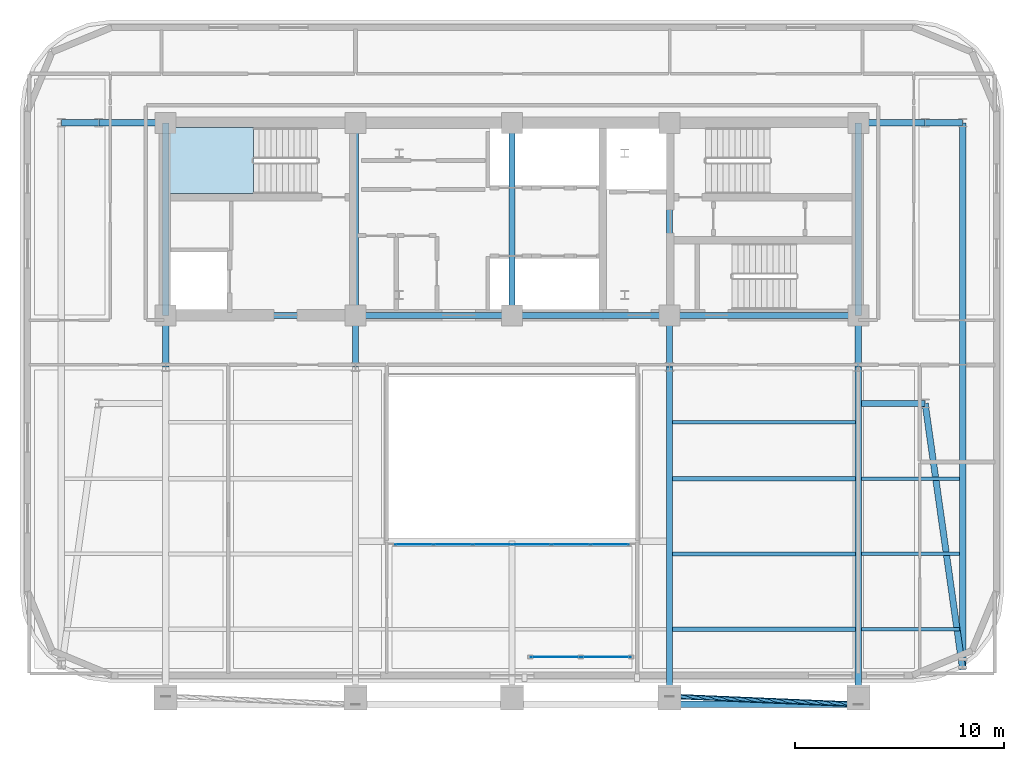
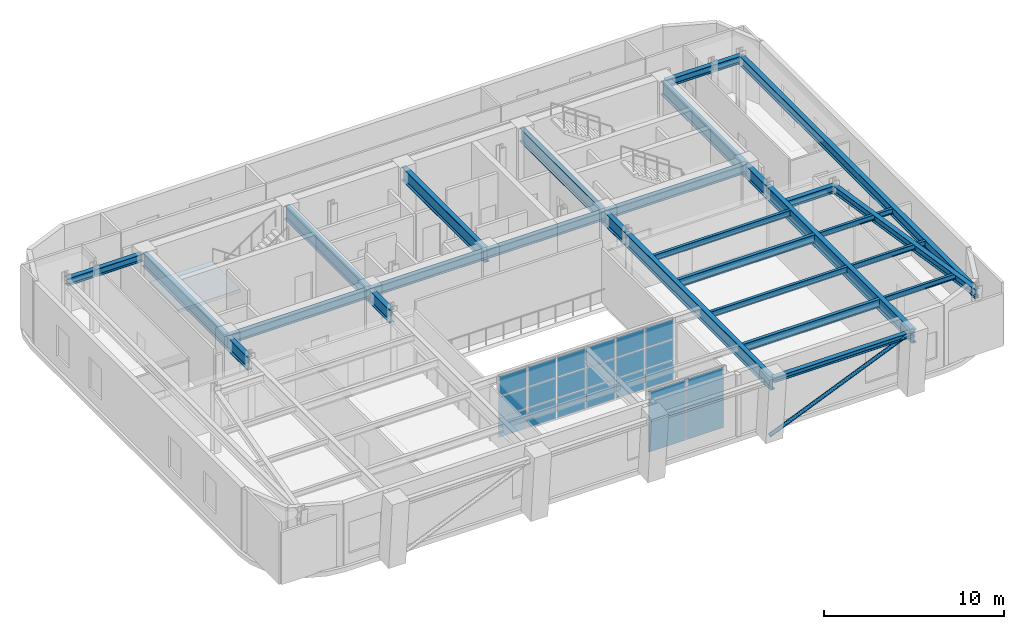
# One storey, part 3 of 13: 30 beams, 22 plates, 1 member, 1 slab, 3 elements without a shape of their own.
"""IFC4 building model written with IfcOpenShell, lengths in metres."""

from ifc_helpers import new_model, si_unit, direction, frame, origin, origin_2d, place, context, subcontext, project, spatial, polyline, rectangle, hollow_circle, i_section, outline, extrude, material, layer, layer_set, material_profile, profile_set, type_object, element, aggregate, save


model = new_model("IFC4")

# Units and contexts
model_context = context("Model", 3, precision=1e-05, world=origin(), true_north=direction((0.0, 1.0)))
body_context = subcontext(model_context, "Body", "Model", "MODEL_VIEW")
ifc_project = project(units=[si_unit("LENGTHUNIT", "METRE"), si_unit("AREAUNIT", "SQUARE_METRE"), si_unit("VOLUMEUNIT", "CUBIC_METRE"), si_unit("PLANEANGLEUNIT", "RADIAN"), si_unit("MASSUNIT", "GRAM", prefix="KILO")], contexts=[model_context])

# Site, building, storey
site_placement = place(None, origin())
site = spatial("IfcSite", under=ifc_project, at=site_placement, CompositionType="ELEMENT")
building_placement = place(site_placement, origin())
building = spatial("IfcBuilding", under=site, at=building_placement, Name="Zarnavel Station Tower", CompositionType="ELEMENT")
storey_placement = place(building_placement, frame((0.0, 0.0, 183.85009765625)))
storey = spatial("IfcBuildingStorey", under=building, at=storey_placement, Name="L50", CompositionType="ELEMENT", Elevation=183.85009765625)

# Member
ifc_material_1 = material(Name="Steel S355J2", Category="steel")
ifc_material_profile_1 = material_profile(ifc_material_1, hollow_circle(Radius=0.122314453125, WallThickness=0.010009765625, at=origin_2d()), Name="CHS244.5x10")
ifc_profile_set_1 = profile_set([ifc_material_profile_1], Name="Steel S355J2")
member_type = type_object("IfcMemberType", Name="DB_EXT_CHS245", PredefinedType="BRACE", material=ifc_profile_set_1)
member_placement = place(storey_placement, frame((36.35009765625, 9.5673828125, 0.0), z_axis=(0.905258339088, -0.03834184721, 0.423127926595), x_axis=(0.042316652406, 0.99910424928, 0.0)))
element("IfcMember", 1, at=member_placement, inside=storey, type_object=member_type, Name="L50 Persian Exterior Diagonal Frame Brace 2", PredefinedType="BRACE", context=body_context, shape_type="SweptSolid", body=[
    extrude(hollow_circle(Radius=0.122314453125, WallThickness=0.010009765625, at=origin_2d()), origin(), (0.0, 0.0, 1.0), 9.996826171875),
])

# Beams
ifc_material_2 = material(Name="Steel S355J2", Category="steel")
ifc_material_profile_2 = material_profile(ifc_material_2, i_section(OverallWidth=0.300048828125, OverallDepth=0.360107421875, WebThickness=0.012451171875, FlangeThickness=0.0224609375, FilletRadius=0.027099609375, at=origin_2d()), Name="HEB360")
ifc_profile_set_2 = profile_set([ifc_material_profile_2], Name="Steel S355J2")
beam_type_1 = type_object("IfcBeamType", Name="EB_HEB360", PredefinedType="SPANDREL", material=ifc_profile_set_2)
beam_1_placement = place(storey_placement, frame((36.35009765625, 9.18408203125, 4.0498046875), z_axis=(1.0, 0.0, 0.0), x_axis=(0.0, 1.0, 0.0)))
element("IfcBeam", 2, at=beam_1_placement, inside=storey, type_object=beam_type_1, Name="L50 South Raked Spandrel 4", PredefinedType="SPANDREL", context=body_context, shape_type="SweptSolid", body=[
    extrude(i_section(OverallWidth=0.300048828125, OverallDepth=0.360107421875, WebThickness=0.012451171875, FlangeThickness=0.0224609375, FilletRadius=0.027099609375, at=origin_2d()), origin(), (0.0, 0.0, 1.0), 9.0498046875),
])
ifc_material_3 = material(Name="Steel S355J2", Category="steel")
ifc_material_profile_3 = material_profile(ifc_material_3, i_section(OverallWidth=0.179931640625, OverallDepth=0.39990234375, WebThickness=0.008544921875, FlangeThickness=0.013427734375, FilletRadius=0.02099609375, at=origin_2d()), Name="IPE400")
ifc_profile_set_3 = profile_set([ifc_material_profile_3], Name="Steel S355J2")
beam_type_2 = type_object("IfcBeamType", Name="FB_IPE400", PredefinedType="BEAM", material=ifc_profile_set_3)
for number, where, z_axis, x_axis, name in (
    (3, (36.4951171875, 16.390380859375, 4.02978515625), (1.0, 0.0, 0.0), (0.0, 1.0, 0.0), "L50 East Bay Beam 2"),
    (4, (36.4951171875, 22.69677734375, 4.02978515625), (1.0, 0.0, 0.0), (0.0, 1.0, 0.0), "L50 East Bay Beam 4"),
):
    element("IfcBeam", number, at=place(storey_placement, frame(where, z_axis=z_axis, x_axis=x_axis)), inside=storey, type_object=beam_type_2, Name=name, PredefinedType="BEAM", context=body_context, shape_type="SweptSolid", body=[
        extrude(i_section(OverallWidth=0.179931640625, OverallDepth=0.39990234375, WebThickness=0.008544921875, FlangeThickness=0.013427734375, FilletRadius=0.02099609375, at=origin_2d()), origin(), (0.0, 0.0, 1.0), 8.759765625),
    ])
ifc_material_4 = material(Name="Steel S355J2", Category="steel")
ifc_material_profile_4 = material_profile(ifc_material_4, i_section(OverallWidth=0.2099609375, OverallDepth=0.550048828125, WebThickness=0.010986328125, FlangeThickness=0.01708984375, FilletRadius=0.02392578125, at=origin_2d()), Name="IPE550")
ifc_profile_set_4 = profile_set([ifc_material_profile_4], Name="Steel S355J2")
beam_type_3 = type_object("IfcBeamType", Name="FB_IPE550", PredefinedType="BEAM", material=ifc_profile_set_4)
for number, where, z_axis, x_axis, name in (
    (5, (36.4951171875, 12.787353515625, 3.954833984375), (1.0, 0.0, 0.0), (0.0, 1.0, 0.0), "L50 East Bay Beam 1"),
    (6, (36.4951171875, 19.99365234375, 3.954833984375), (1.0, 0.0, 0.0), (0.0, 1.0, 0.0), "L50 East Bay Beam 3"),
):
    element("IfcBeam", number, at=place(storey_placement, frame(where, z_axis=z_axis, x_axis=x_axis)), inside=storey, type_object=beam_type_3, Name=name, PredefinedType="BEAM", context=body_context, shape_type="SweptSolid", body=[
        extrude(i_section(OverallWidth=0.2099609375, OverallDepth=0.550048828125, WebThickness=0.010986328125, FlangeThickness=0.01708984375, FilletRadius=0.02392578125, at=origin_2d()), origin(), (0.0, 0.0, 1.0), 8.759765625),
    ])
ifc_material_5 = material(Name="Steel S355J2", Category="steel")
ifc_material_profile_5 = material_profile(ifc_material_5, i_section(OverallWidth=0.300048828125, OverallDepth=0.5, WebThickness=0.014404296875, FlangeThickness=0.028076171875, FilletRadius=0.027099609375, at=origin_2d()), Name="HEB500")
ifc_profile_set_5 = profile_set([ifc_material_profile_5], Name="Steel S355J2")
beam_type_4 = type_object("IfcBeamType", Name="FG_HEB500", PredefinedType="USERDEFINED", material=ifc_profile_set_5)
beam_2_placement = place(storey_placement, frame((7.199951171875, 37.050048828125, 3.97998046875), z_axis=(1.0, 0.0, 0.0), x_axis=(0.0, 1.0, 0.0)))
element("IfcBeam", 7, at=beam_2_placement, inside=storey, type_object=beam_type_4, Name="L50 West Wing North Tie 1", ObjectType="GIRDER", PredefinedType="USERDEFINED", context=body_context, shape_type="SweptSolid", body=[
    extrude(i_section(OverallWidth=0.300048828125, OverallDepth=0.5, WebThickness=0.014404296875, FlangeThickness=0.028076171875, FilletRadius=0.027099609375, at=origin_2d()), origin(), (0.0, 0.0, 1.0), 1.800048828125),
])
beam_3_placement = place(storey_placement, frame((9.0, 37.050048828125, 3.97998046875), z_axis=(1.0, 0.0, 0.0), x_axis=(0.0, 1.0, 0.0)))
element("IfcBeam", 8, at=beam_3_placement, inside=storey, type_object=beam_type_4, Name="L50 West Wing North Tie 2", ObjectType="GIRDER", PredefinedType="USERDEFINED", context=body_context, shape_type="SweptSolid", body=[
    extrude(i_section(OverallWidth=0.300048828125, OverallDepth=0.5, WebThickness=0.014404296875, FlangeThickness=0.028076171875, FilletRadius=0.027099609375, at=origin_2d()), origin(), (0.0, 0.0, 1.0), 3.054931640625),
])
for number, where, z_axis, x_axis, name in (
    (9, (45.544921875, 23.60009765625, 3.97998046875), (1.0, 0.0, 0.0), (0.0, 1.0, 0.0), "L50 East Wing South Tie 1"),
    (10, (45.544921875, 37.050048828125, 3.97998046875), (1.0, 0.0, 0.0), (0.0, 1.0, 0.0), "L50 East Wing North Tie 1"),
):
    element("IfcBeam", number, at=place(storey_placement, frame(where, z_axis=z_axis, x_axis=x_axis)), inside=storey, type_object=beam_type_4, Name=name, ObjectType="GIRDER", PredefinedType="USERDEFINED", context=body_context, shape_type="SweptSolid", body=[
        extrude(i_section(OverallWidth=0.300048828125, OverallDepth=0.5, WebThickness=0.014404296875, FlangeThickness=0.028076171875, FilletRadius=0.027099609375, at=origin_2d()), origin(), (0.0, 0.0, 1.0), 3.05517578125),
    ])
beam_4_placement = place(storey_placement, frame((48.60009765625, 23.60009765625, 3.97998046875), z_axis=(0.139772781773, -0.990183603922, 0.0), x_axis=(0.990183603922, 0.139772781773, 0.0)))
element("IfcBeam", 11, at=beam_4_placement, inside=storey, type_object=beam_type_4, Name="L50 East Wing South Tie 2", ObjectType="GIRDER", PredefinedType="USERDEFINED", context=body_context, shape_type="SweptSolid", body=[
    extrude(i_section(OverallWidth=0.300048828125, OverallDepth=0.5, WebThickness=0.014404296875, FlangeThickness=0.028076171875, FilletRadius=0.027099609375, at=origin_2d()), origin(), (0.0, 0.0, 1.0), 12.876708984375),
])
beam_5_placement = place(storey_placement, frame((48.60009765625, 37.050048828125, 3.97998046875), z_axis=(1.0, 0.0, 0.0), x_axis=(0.0, 1.0, 0.0)))
element("IfcBeam", 12, at=beam_5_placement, inside=storey, type_object=beam_type_4, Name="L50 East Wing North Tie 2", ObjectType="GIRDER", PredefinedType="USERDEFINED", context=body_context, shape_type="SweptSolid", body=[
    extrude(i_section(OverallWidth=0.300048828125, OverallDepth=0.5, WebThickness=0.014404296875, FlangeThickness=0.028076171875, FilletRadius=0.027099609375, at=origin_2d()), origin(), (0.0, 0.0, 1.0), 1.7998046875),
])
ifc_material_6 = material(Name="Steel S355J2", Category="steel")
ifc_material_profile_6 = material_profile(ifc_material_6, i_section(OverallWidth=0.300048828125, OverallDepth=0.60009765625, WebThickness=0.015380859375, FlangeThickness=0.030029296875, FilletRadius=0.027099609375, at=origin_2d()), Name="HEB600")
ifc_profile_set_6 = profile_set([ifc_material_profile_6], Name="Steel S355J2")
beam_type_5 = type_object("IfcBeamType", Name="FG_HEB600", PredefinedType="USERDEFINED", material=ifc_profile_set_6)
beam_6_placement = place(storey_placement, frame((12.199951171875, 27.820068359375, 3.929931640625), z_axis=(1.0, 0.0, 0.0), x_axis=(0.0, 1.0, 0.0)))
element("IfcBeam", 13, at=beam_6_placement, inside=storey, type_object=beam_type_5, Name="L50 Core Front Coupling Beam 1", ObjectType="GIRDER", PredefinedType="USERDEFINED", context=body_context, shape_type="SweptSolid", body=[
    extrude(i_section(OverallWidth=0.300048828125, OverallDepth=0.60009765625, WebThickness=0.015380859375, FlangeThickness=0.030029296875, FilletRadius=0.027099609375, at=origin_2d()), origin(), (0.0, 0.0, 1.0), 9.10009765625),
])
beam_7_placement = place(storey_placement, frame((21.300048828125, 27.820068359375, 3.929931640625), z_axis=(1.0, 0.0, 0.0), x_axis=(0.0, 1.0, 0.0)))
element("IfcBeam", 14, at=beam_7_placement, inside=storey, type_object=beam_type_5, Name="L50 Core Front Coupling Beam 2", ObjectType="GIRDER", PredefinedType="USERDEFINED", context=body_context, shape_type="SweptSolid", body=[
    extrude(i_section(OverallWidth=0.300048828125, OverallDepth=0.60009765625, WebThickness=0.015380859375, FlangeThickness=0.030029296875, FilletRadius=0.027099609375, at=origin_2d()), origin(), (0.0, 0.0, 1.0), 7.5),
])
beam_8_placement = place(storey_placement, frame((28.800048828125, 27.820068359375, 3.929931640625), z_axis=(1.0, 0.0, 0.0), x_axis=(0.0, 1.0, 0.0)))
element("IfcBeam", 15, at=beam_8_placement, inside=storey, type_object=beam_type_5, Name="L50 Core Front Coupling Beam 3", ObjectType="GIRDER", PredefinedType="USERDEFINED", context=body_context, shape_type="SweptSolid", body=[
    extrude(i_section(OverallWidth=0.300048828125, OverallDepth=0.60009765625, WebThickness=0.015380859375, FlangeThickness=0.030029296875, FilletRadius=0.027099609375, at=origin_2d()), origin(), (0.0, 0.0, 1.0), 7.550048828125),
])
beam_9_placement = place(storey_placement, frame((36.35009765625, 27.820068359375, 3.929931640625), z_axis=(1.0, 0.0, 0.0), x_axis=(0.0, 1.0, 0.0)))
element("IfcBeam", 16, at=beam_9_placement, inside=storey, type_object=beam_type_5, Name="L50 Core Front Coupling Beam 4", ObjectType="GIRDER", PredefinedType="USERDEFINED", context=body_context, shape_type="SweptSolid", body=[
    extrude(i_section(OverallWidth=0.300048828125, OverallDepth=0.60009765625, WebThickness=0.015380859375, FlangeThickness=0.030029296875, FilletRadius=0.027099609375, at=origin_2d()), origin(), (0.0, 0.0, 1.0), 9.0498046875),
])
ifc_material_7 = material(Name="Steel S355J2", Category="steel")
ifc_material_profile_7 = material_profile(ifc_material_7, i_section(OverallWidth=0.300048828125, OverallDepth=0.64990234375, WebThickness=0.01611328125, FlangeThickness=0.031005859375, FilletRadius=0.027099609375, at=origin_2d()), Name="HEB650")
ifc_profile_set_7 = profile_set([ifc_material_profile_7], Name="Steel S355J2")
beam_type_6 = type_object("IfcBeamType", Name="FG_HEB650", PredefinedType="USERDEFINED", material=ifc_profile_set_7)
beam_10_placement = place(storey_placement, frame((50.39990234375, 10.849853515625, 3.90478515625), z_axis=(0.0, 1.0, 0.0), x_axis=(-1.0, 0.0, 0.0)))
element("IfcBeam", 17, at=beam_10_placement, inside=storey, type_object=beam_type_6, Name="L50 Wing NS Girder 2", ObjectType="GIRDER", PredefinedType="USERDEFINED", context=body_context, shape_type="SweptSolid", body=[
    extrude(i_section(OverallWidth=0.300048828125, OverallDepth=0.64990234375, WebThickness=0.01611328125, FlangeThickness=0.031005859375, FilletRadius=0.027099609375, at=origin_2d()), origin(), (0.0, 0.0, 1.0), 26.2001953125),
])
ifc_material_8 = material(Name="Steel S355J2", Category="steel")
ifc_material_profile_8 = material_profile(ifc_material_8, i_section(OverallWidth=0.300048828125, OverallDepth=0.89990234375, WebThickness=0.0185546875, FlangeThickness=0.034912109375, FilletRadius=0.030029296875, at=origin_2d()), Name="HEB900")
ifc_profile_set_8 = profile_set([ifc_material_profile_8], Name="Steel S355J2")
beam_type_7 = type_object("IfcBeamType", Name="FG_HEB900", PredefinedType="USERDEFINED", material=ifc_profile_set_8)
for number, where, z_axis, x_axis, name in (
    (18, (12.199951171875, 25.35009765625, 3.77978515625), (0.0, 1.0, 0.0), (-1.0, 0.0, 0.0), "L50 Inner-Zone NS Girder 1"),
    (19, (21.300048828125, 25.35009765625, 3.77978515625), (0.0, 1.0, 0.0), (-1.0, 0.0, 0.0), "L50 Inner-Zone NS Girder 2"),
):
    element("IfcBeam", number, at=place(storey_placement, frame(where, z_axis=z_axis, x_axis=x_axis)), inside=storey, type_object=beam_type_7, Name=name, ObjectType="GIRDER", PredefinedType="USERDEFINED", context=body_context, shape_type="SweptSolid", body=[
        extrude(i_section(OverallWidth=0.300048828125, OverallDepth=0.89990234375, WebThickness=0.0185546875, FlangeThickness=0.034912109375, FilletRadius=0.030029296875, at=origin_2d()), origin(), (0.0, 0.0, 1.0), 2.469970703125),
    ])
beam_11_placement = place(storey_placement, frame((36.35009765625, 9.18408203125, 3.77978515625), z_axis=(0.0, 1.0, 0.0), x_axis=(-1.0, 0.0, 0.0)))
element("IfcBeam", 20, at=beam_11_placement, inside=storey, type_object=beam_type_7, Name="L50 South-Zone NS Girder 4", ObjectType="GIRDER", PredefinedType="USERDEFINED", context=body_context, shape_type="SweptSolid", body=[
    extrude(i_section(OverallWidth=0.300048828125, OverallDepth=0.89990234375, WebThickness=0.0185546875, FlangeThickness=0.034912109375, FilletRadius=0.030029296875, at=origin_2d()), origin(), (0.0, 0.0, 1.0), 16.166015625),
])
beam_12_placement = place(storey_placement, frame((36.35009765625, 25.35009765625, 3.77978515625), z_axis=(0.0, 1.0, 0.0), x_axis=(-1.0, 0.0, 0.0)))
element("IfcBeam", 21, at=beam_12_placement, inside=storey, type_object=beam_type_7, Name="L50 Inner-Zone NS Girder 4", ObjectType="GIRDER", PredefinedType="USERDEFINED", context=body_context, shape_type="SweptSolid", body=[
    extrude(i_section(OverallWidth=0.300048828125, OverallDepth=0.89990234375, WebThickness=0.0185546875, FlangeThickness=0.034912109375, FilletRadius=0.030029296875, at=origin_2d()), origin(), (0.0, 0.0, 1.0), 2.469970703125),
])
beam_13_placement = place(storey_placement, frame((45.39990234375, 9.18408203125, 3.77978515625), z_axis=(0.0, 1.0, 0.0), x_axis=(-1.0, 0.0, 0.0)))
element("IfcBeam", 22, at=beam_13_placement, inside=storey, type_object=beam_type_7, Name="L50 South-Zone NS Girder 5", ObjectType="GIRDER", PredefinedType="USERDEFINED", context=body_context, shape_type="SweptSolid", body=[
    extrude(i_section(OverallWidth=0.300048828125, OverallDepth=0.89990234375, WebThickness=0.0185546875, FlangeThickness=0.034912109375, FilletRadius=0.030029296875, at=origin_2d()), origin(), (0.0, 0.0, 1.0), 16.166015625),
])
beam_14_placement = place(storey_placement, frame((45.39990234375, 25.35009765625, 3.77978515625), z_axis=(0.0, 1.0, 0.0), x_axis=(-1.0, 0.0, 0.0)))
element("IfcBeam", 23, at=beam_14_placement, inside=storey, type_object=beam_type_7, Name="L50 Inner-Zone NS Girder 5", ObjectType="GIRDER", PredefinedType="USERDEFINED", context=body_context, shape_type="SweptSolid", body=[
    extrude(i_section(OverallWidth=0.300048828125, OverallDepth=0.89990234375, WebThickness=0.0185546875, FlangeThickness=0.034912109375, FilletRadius=0.030029296875, at=origin_2d()), origin(), (0.0, 0.0, 1.0), 2.469970703125),
])
ifc_material_9 = material(Name="Steel S355J2", Category="steel")
ifc_material_profile_9 = material_profile(ifc_material_9, i_section(OverallWidth=0.169921875, OverallDepth=0.360107421875, WebThickness=0.008056640625, FlangeThickness=0.0126953125, FilletRadius=0.01806640625, at=origin_2d()), Name="IPE360")
ifc_profile_set_9 = profile_set([ifc_material_profile_9], Name="Steel S355J2")
beam_type_8 = type_object("IfcBeamType", Name="FJ_IPE360", PredefinedType="JOIST", material=ifc_profile_set_9)
for number, where, z_axis, x_axis, name in (
    (24, (45.544921875, 12.787353515625, 4.0498046875), (1.0, 0.0, 0.0), (0.0, 1.0, 0.0), "L50 East Wing Joist 1"),
    (25, (45.544921875, 16.390380859375, 4.0498046875), (1.0, 0.0, 0.0), (0.0, 1.0, 0.0), "L50 East Wing Joist 2"),
    (26, (45.544921875, 19.99365234375, 4.0498046875), (1.0, 0.0, 0.0), (0.0, 1.0, 0.0), "L50 East Wing Joist 3"),
):
    element("IfcBeam", number, at=place(storey_placement, frame(where, z_axis=z_axis, x_axis=x_axis)), inside=storey, type_object=beam_type_8, Name=name, PredefinedType="JOIST", context=body_context, shape_type="SweptSolid", body=[
        extrude(i_section(OverallWidth=0.169921875, OverallDepth=0.360107421875, WebThickness=0.008056640625, FlangeThickness=0.0126953125, FilletRadius=0.01806640625, at=origin_2d()), origin(), (0.0, 0.0, 1.0), 4.7099609375),
    ])
ifc_material_10 = material(Name="Steel S460M", Category="steel")
ifc_material_profile_10 = material_profile(ifc_material_10, i_section(OverallWidth=0.302001953125, OverallDepth=0.909912109375, WebThickness=0.02099609375, FlangeThickness=0.0400390625, FilletRadius=0.030029296875, at=origin_2d()), Name="HEM900")
ifc_profile_set_10 = profile_set([ifc_material_profile_10], Name="Steel S460M")
beam_type_9 = type_object("IfcBeamType", Name="TG_HEM900", PredefinedType="USERDEFINED", material=ifc_profile_set_10)
for number, where, z_axis, x_axis, name in (
    (27, (12.199951171875, 27.820068359375, 3.77490234375), (0.0, 1.0, 0.0), (-1.0, 0.0, 0.0), "L50 Core Spine Coupling Girder 1"),
    (28, (21.300048828125, 27.820068359375, 3.77490234375), (0.0, 1.0, 0.0), (-1.0, 0.0, 0.0), "L50 Core Spine Coupling Girder 2"),
    (29, (28.800048828125, 27.820068359375, 3.77490234375), (0.0, 1.0, 0.0), (-1.0, 0.0, 0.0), "L50 Core Spine Coupling Girder 3"),
    (30, (36.35009765625, 27.820068359375, 3.77490234375), (0.0, 1.0, 0.0), (-1.0, 0.0, 0.0), "L50 Core Spine Coupling Girder 4"),
    (31, (45.39990234375, 27.820068359375, 3.77490234375), (0.0, 1.0, 0.0), (-1.0, 0.0, 0.0), "L50 Core Spine Coupling Girder 5"),
):
    element("IfcBeam", number, at=place(storey_placement, frame(where, z_axis=z_axis, x_axis=x_axis)), inside=storey, type_object=beam_type_9, Name=name, ObjectType="GIRDER", PredefinedType="USERDEFINED", context=body_context, shape_type="SweptSolid", body=[
        extrude(i_section(OverallWidth=0.302001953125, OverallDepth=0.909912109375, WebThickness=0.02099609375, FlangeThickness=0.0400390625, FilletRadius=0.030029296875, at=origin_2d()), origin(), (0.0, 0.0, 1.0), 9.22998046875),
    ])

# Curtain wall, plates
ifc_material_11 = material(Name="Aluminium Dark Anodised and Solar-Control Glass", Category="aluminium")
ifc_layer_1 = layer(ifc_material_11, 0.179931640625)
ifc_layer_set_1 = layer_set([ifc_layer_1], Name="CWS4")
curtain_wall_type_1 = type_object("IfcCurtainWallType", Name="CWS4", PredefinedType="NOTDEFINED", material=ifc_layer_set_1)
curtain_wall_1_placement = place(storey_placement, origin())
curtain_wall_1 = element("IfcCurtainWall", 32, at=curtain_wall_1_placement, inside=storey, type_object=curtain_wall_type_1, Name="L50 Curtain Wall CWS4-L50-AS", PredefinedType="NOTDEFINED")
ifc_material_12 = material(Name="Double Low-E Dark Solar-Control Glass", Category="glass")
ifc_layer_2 = layer(ifc_material_12, 0.031982421875)
ifc_layer_set_2 = layer_set([ifc_layer_2], Name="CWS4_PNL")
plate_type_1 = type_object("IfcPlateType", Name="CWS4_PNL", PredefinedType="CURTAIN_PANEL", material=ifc_layer_set_2)
plate_1_placement = place(storey_placement, frame((24.106689453125, 16.85009765625, 0.06005859375), z_axis=(0.0, 0.0, 1.0), x_axis=(1.0, 0.0, 0.0)))
plate_1 = element("IfcPlate", 33, at=plate_1_placement, type_object=plate_type_1, Name="CW4 panel 1.1", PredefinedType="CURTAIN_PANEL", context=body_context, shape_type="SweptSolid", body=[
    extrude(rectangle(XDim=1.793212890625, YDim=0.028076171875, at=origin_2d()), origin(), (0.0, 0.0, 1.0), 1.320068359375),
])
plate_2_placement = place(storey_placement, frame((24.106689453125, 16.85009765625, 1.43994140625), z_axis=(0.0, 0.0, 1.0), x_axis=(1.0, 0.0, 0.0)))
plate_2 = element("IfcPlate", 34, at=plate_2_placement, type_object=plate_type_1, Name="CW4 panel 1.2", PredefinedType="CURTAIN_PANEL", context=body_context, shape_type="SweptSolid", body=[
    extrude(rectangle(XDim=1.793212890625, YDim=0.028076171875, at=origin_2d()), origin(), (0.0, 0.0, 1.0), 1.35009765625),
])
plate_3_placement = place(storey_placement, frame((24.106689453125, 16.85009765625, 2.85009765625), z_axis=(0.0, 0.0, 1.0), x_axis=(1.0, 0.0, 0.0)))
plate_3 = element("IfcPlate", 35, at=plate_3_placement, type_object=plate_type_1, Name="CW4 panel 1.3", PredefinedType="CURTAIN_PANEL", context=body_context, shape_type="SweptSolid", body=[
    extrude(rectangle(XDim=1.793212890625, YDim=0.028076171875, at=origin_2d()), origin(), (0.0, 0.0, 1.0), 1.320068359375),
])
plate_4_placement = place(storey_placement, frame((25.97509765625, 16.85009765625, 0.06005859375), z_axis=(0.0, 0.0, 1.0), x_axis=(1.0, 0.0, 0.0)))
plate_4 = element("IfcPlate", 36, at=plate_4_placement, type_object=plate_type_1, Name="CW4 panel 2.1", PredefinedType="CURTAIN_PANEL", context=body_context, shape_type="SweptSolid", body=[
    extrude(rectangle(XDim=1.8232421875, YDim=0.028076171875, at=origin_2d()), origin(), (0.0, 0.0, 1.0), 1.320068359375),
])
plate_5_placement = place(storey_placement, frame((25.97509765625, 16.85009765625, 1.43994140625), z_axis=(0.0, 0.0, 1.0), x_axis=(1.0, 0.0, 0.0)))
plate_5 = element("IfcPlate", 37, at=plate_5_placement, type_object=plate_type_1, Name="CW4 panel 2.2", PredefinedType="CURTAIN_PANEL", context=body_context, shape_type="SweptSolid", body=[
    extrude(rectangle(XDim=1.8232421875, YDim=0.028076171875, at=origin_2d()), origin(), (0.0, 0.0, 1.0), 1.35009765625),
])
plate_6_placement = place(storey_placement, frame((25.97509765625, 16.85009765625, 2.85009765625), z_axis=(0.0, 0.0, 1.0), x_axis=(1.0, 0.0, 0.0)))
plate_6 = element("IfcPlate", 38, at=plate_6_placement, type_object=plate_type_1, Name="CW4 panel 2.3", PredefinedType="CURTAIN_PANEL", context=body_context, shape_type="SweptSolid", body=[
    extrude(rectangle(XDim=1.8232421875, YDim=0.028076171875, at=origin_2d()), origin(), (0.0, 0.0, 1.0), 1.320068359375),
])
plate_7_placement = place(storey_placement, frame((27.8583984375, 16.85009765625, 0.06005859375), z_axis=(0.0, 0.0, 1.0), x_axis=(1.0, 0.0, 0.0)))
plate_7 = element("IfcPlate", 39, at=plate_7_placement, type_object=plate_type_1, Name="CW4 panel 3.1", PredefinedType="CURTAIN_PANEL", context=body_context, shape_type="SweptSolid", body=[
    extrude(rectangle(XDim=1.8232421875, YDim=0.028076171875, at=origin_2d()), origin(), (0.0, 0.0, 1.0), 1.320068359375),
])
plate_8_placement = place(storey_placement, frame((27.8583984375, 16.85009765625, 1.43994140625), z_axis=(0.0, 0.0, 1.0), x_axis=(1.0, 0.0, 0.0)))
plate_8 = element("IfcPlate", 40, at=plate_8_placement, type_object=plate_type_1, Name="CW4 panel 3.2", PredefinedType="CURTAIN_PANEL", context=body_context, shape_type="SweptSolid", body=[
    extrude(rectangle(XDim=1.8232421875, YDim=0.028076171875, at=origin_2d()), origin(), (0.0, 0.0, 1.0), 1.35009765625),
])
plate_9_placement = place(storey_placement, frame((27.8583984375, 16.85009765625, 2.85009765625), z_axis=(0.0, 0.0, 1.0), x_axis=(1.0, 0.0, 0.0)))
plate_9 = element("IfcPlate", 41, at=plate_9_placement, type_object=plate_type_1, Name="CW4 panel 3.3", PredefinedType="CURTAIN_PANEL", context=body_context, shape_type="SweptSolid", body=[
    extrude(rectangle(XDim=1.8232421875, YDim=0.028076171875, at=origin_2d()), origin(), (0.0, 0.0, 1.0), 1.320068359375),
])
plate_10_placement = place(storey_placement, frame((29.74169921875, 16.85009765625, 0.06005859375), z_axis=(0.0, 0.0, 1.0), x_axis=(1.0, 0.0, 0.0)))
plate_10 = element("IfcPlate", 42, at=plate_10_placement, type_object=plate_type_1, Name="CW4 panel 4.1", PredefinedType="CURTAIN_PANEL", context=body_context, shape_type="SweptSolid", body=[
    extrude(rectangle(XDim=1.8232421875, YDim=0.028076171875, at=origin_2d()), origin(), (0.0, 0.0, 1.0), 1.320068359375),
])
plate_11_placement = place(storey_placement, frame((29.74169921875, 16.85009765625, 1.43994140625), z_axis=(0.0, 0.0, 1.0), x_axis=(1.0, 0.0, 0.0)))
plate_11 = element("IfcPlate", 43, at=plate_11_placement, type_object=plate_type_1, Name="CW4 panel 4.2", PredefinedType="CURTAIN_PANEL", context=body_context, shape_type="SweptSolid", body=[
    extrude(rectangle(XDim=1.8232421875, YDim=0.028076171875, at=origin_2d()), origin(), (0.0, 0.0, 1.0), 1.35009765625),
])
plate_12_placement = place(storey_placement, frame((29.74169921875, 16.85009765625, 2.85009765625), z_axis=(0.0, 0.0, 1.0), x_axis=(1.0, 0.0, 0.0)))
plate_12 = element("IfcPlate", 44, at=plate_12_placement, type_object=plate_type_1, Name="CW4 panel 4.3", PredefinedType="CURTAIN_PANEL", context=body_context, shape_type="SweptSolid", body=[
    extrude(rectangle(XDim=1.8232421875, YDim=0.028076171875, at=origin_2d()), origin(), (0.0, 0.0, 1.0), 1.320068359375),
])
plate_13_placement = place(storey_placement, frame((31.625, 16.85009765625, 0.06005859375), z_axis=(0.0, 0.0, 1.0), x_axis=(1.0, 0.0, 0.0)))
plate_13 = element("IfcPlate", 45, at=plate_13_placement, type_object=plate_type_1, Name="CW4 panel 5.1", PredefinedType="CURTAIN_PANEL", context=body_context, shape_type="SweptSolid", body=[
    extrude(rectangle(XDim=1.8232421875, YDim=0.028076171875, at=origin_2d()), origin(), (0.0, 0.0, 1.0), 1.320068359375),
])
plate_14_placement = place(storey_placement, frame((31.625, 16.85009765625, 1.43994140625), z_axis=(0.0, 0.0, 1.0), x_axis=(1.0, 0.0, 0.0)))
plate_14 = element("IfcPlate", 46, at=plate_14_placement, type_object=plate_type_1, Name="CW4 panel 5.2", PredefinedType="CURTAIN_PANEL", context=body_context, shape_type="SweptSolid", body=[
    extrude(rectangle(XDim=1.8232421875, YDim=0.028076171875, at=origin_2d()), origin(), (0.0, 0.0, 1.0), 1.35009765625),
])
plate_15_placement = place(storey_placement, frame((31.625, 16.85009765625, 2.85009765625), z_axis=(0.0, 0.0, 1.0), x_axis=(1.0, 0.0, 0.0)))
plate_15 = element("IfcPlate", 47, at=plate_15_placement, type_object=plate_type_1, Name="CW4 panel 5.3", PredefinedType="CURTAIN_PANEL", context=body_context, shape_type="SweptSolid", body=[
    extrude(rectangle(XDim=1.8232421875, YDim=0.028076171875, at=origin_2d()), origin(), (0.0, 0.0, 1.0), 1.320068359375),
])
plate_16_placement = place(storey_placement, frame((33.493408203125, 16.85009765625, 0.06005859375), z_axis=(0.0, 0.0, 1.0), x_axis=(1.0, 0.0, 0.0)))
plate_16 = element("IfcPlate", 48, at=plate_16_placement, type_object=plate_type_1, Name="CW4 panel 6.1", PredefinedType="CURTAIN_PANEL", context=body_context, shape_type="SweptSolid", body=[
    extrude(rectangle(XDim=1.793212890625, YDim=0.028076171875, at=origin_2d()), origin(), (0.0, 0.0, 1.0), 1.320068359375),
])
plate_17_placement = place(storey_placement, frame((33.493408203125, 16.85009765625, 1.43994140625), z_axis=(0.0, 0.0, 1.0), x_axis=(1.0, 0.0, 0.0)))
plate_17 = element("IfcPlate", 49, at=plate_17_placement, type_object=plate_type_1, Name="CW4 panel 6.2", PredefinedType="CURTAIN_PANEL", context=body_context, shape_type="SweptSolid", body=[
    extrude(rectangle(XDim=1.793212890625, YDim=0.028076171875, at=origin_2d()), origin(), (0.0, 0.0, 1.0), 1.35009765625),
])
plate_18_placement = place(storey_placement, frame((33.493408203125, 16.85009765625, 2.85009765625), z_axis=(0.0, 0.0, 1.0), x_axis=(1.0, 0.0, 0.0)))
plate_18 = element("IfcPlate", 50, at=plate_18_placement, type_object=plate_type_1, Name="CW4 panel 6.3", PredefinedType="CURTAIN_PANEL", context=body_context, shape_type="SweptSolid", body=[
    extrude(rectangle(XDim=1.793212890625, YDim=0.028076171875, at=origin_2d()), origin(), (0.0, 0.0, 1.0), 1.320068359375),
])
aggregate(curtain_wall_1, [plate_1, plate_2, plate_3, plate_4, plate_5, plate_6, plate_7, plate_8, plate_9, plate_10, plate_11, plate_12, plate_13, plate_14, plate_15, plate_16, plate_17, plate_18])

ifc_material_13 = material(Name="Aluminium Dark Anodised and Solar-Control Glass", Category="aluminium")
ifc_layer_3 = layer(ifc_material_13, 0.179931640625)
ifc_layer_set_3 = layer_set([ifc_layer_3], Name="CWS6")
curtain_wall_type_2 = type_object("IfcCurtainWallType", Name="CWS6", PredefinedType="NOTDEFINED", material=ifc_layer_set_3)
curtain_wall_2_placement = place(storey_placement, origin())
curtain_wall_2 = element("IfcCurtainWall", 51, at=curtain_wall_2_placement, inside=storey, type_object=curtain_wall_type_2, Name="L50 Curtain Wall CWS6-LOG-L50", PredefinedType="NOTDEFINED")
ifc_material_14 = material(Name="Double Low-E Dark Solar-Control Glass", Category="glass")
ifc_layer_4 = layer(ifc_material_14, 0.0380859375)
ifc_layer_set_4 = layer_set([ifc_layer_4], Name="CWS6_PNL")
plate_type_2 = type_object("IfcPlateType", Name="CWS6_PNL", PredefinedType="CURTAIN_PANEL", material=ifc_layer_set_4)
plate_19_placement = place(storey_placement, frame((30.889892578125, 11.449951171875, 0.06005859375), z_axis=(0.0, 0.0, 1.0), x_axis=(1.0, 0.0, 0.0)))
plate_19 = element("IfcPlate", 52, at=plate_19_placement, type_object=plate_type_2, Name="CW6 panel 1.1", PredefinedType="CURTAIN_PANEL", context=body_context, shape_type="SweptSolid", body=[
    extrude(rectangle(XDim=2.360107421875, YDim=0.028076171875, at=origin_2d()), origin(), (0.0, 0.0, 1.0), 2.02490234375),
])
plate_20_placement = place(storey_placement, frame((30.889892578125, 11.449951171875, 2.14501953125), z_axis=(0.0, 0.0, 1.0), x_axis=(1.0, 0.0, 0.0)))
plate_20 = element("IfcPlate", 53, at=plate_20_placement, type_object=plate_type_2, Name="CW6 panel 1.2", PredefinedType="CURTAIN_PANEL", context=body_context, shape_type="SweptSolid", body=[
    extrude(rectangle(XDim=2.360107421875, YDim=0.028076171875, at=origin_2d()), origin(), (0.0, 0.0, 1.0), 2.02490234375),
])
plate_21_placement = place(storey_placement, frame((33.31005859375, 11.449951171875, 0.06005859375), z_axis=(0.0, 0.0, 1.0), x_axis=(1.0, 0.0, 0.0)))
plate_21 = element("IfcPlate", 54, at=plate_21_placement, type_object=plate_type_2, Name="CW6 panel 2.1", PredefinedType="CURTAIN_PANEL", context=body_context, shape_type="SweptSolid", body=[
    extrude(rectangle(XDim=2.360107421875, YDim=0.028076171875, at=origin_2d()), origin(), (0.0, 0.0, 1.0), 2.02490234375),
])
plate_22_placement = place(storey_placement, frame((33.31005859375, 11.449951171875, 2.14501953125), z_axis=(0.0, 0.0, 1.0), x_axis=(1.0, 0.0, 0.0)))
plate_22 = element("IfcPlate", 55, at=plate_22_placement, type_object=plate_type_2, Name="CW6 panel 2.2", PredefinedType="CURTAIN_PANEL", context=body_context, shape_type="SweptSolid", body=[
    extrude(rectangle(XDim=2.360107421875, YDim=0.028076171875, at=origin_2d()), origin(), (0.0, 0.0, 1.0), 2.02490234375),
])
aggregate(curtain_wall_2, [plate_19, plate_20, plate_21, plate_22])

# Stair, slab
ifc_material_15 = material(Name="Concrete C45/55", Category="concrete")
stair_type = type_object("IfcStairType", Name="ST_CORE_150", PredefinedType="HALF_TURN_STAIR", material=ifc_material_15)
stair_placement = place(storey_placement, origin())
stair = element("IfcStair", 56, at=stair_placement, inside=storey, type_object=stair_type, Name="L50 Core Exit Stair ST1", PredefinedType="HALF_TURN_STAIR")
ifc_material_16 = material(Name="Concrete C45/55", Category="concrete")
ifc_layer_5 = layer(ifc_material_16, 0.199951171875)
ifc_layer_set_5 = layer_set([ifc_layer_5], Name="SL_STAIR_LAND_200")
slab_type = type_object("IfcSlabType", Name="SL_STAIR_LAND_200", PredefinedType="LANDING", material=ifc_layer_set_5)
slab_placement = place(storey_placement, frame((0.0, 0.0, 2.074951171875)))
slab = element("IfcSlab", 57, at=slab_placement, type_object=slab_type, Name="ST1 landing 1", PredefinedType="LANDING", context=body_context, shape_type="SweptSolid", body=[
    extrude(outline(polyline([(16.39990234375, 36.820068359375), (12.39990234375, 36.820068359375), (12.39990234375, 33.659912109375), (16.39990234375, 33.659912109375), (16.39990234375, 36.820068359375)])), origin(), (0.0, 0.0, 1.0), 0.199951171875),
])
aggregate(stair, [slab])

save(model, "model.ifc")
